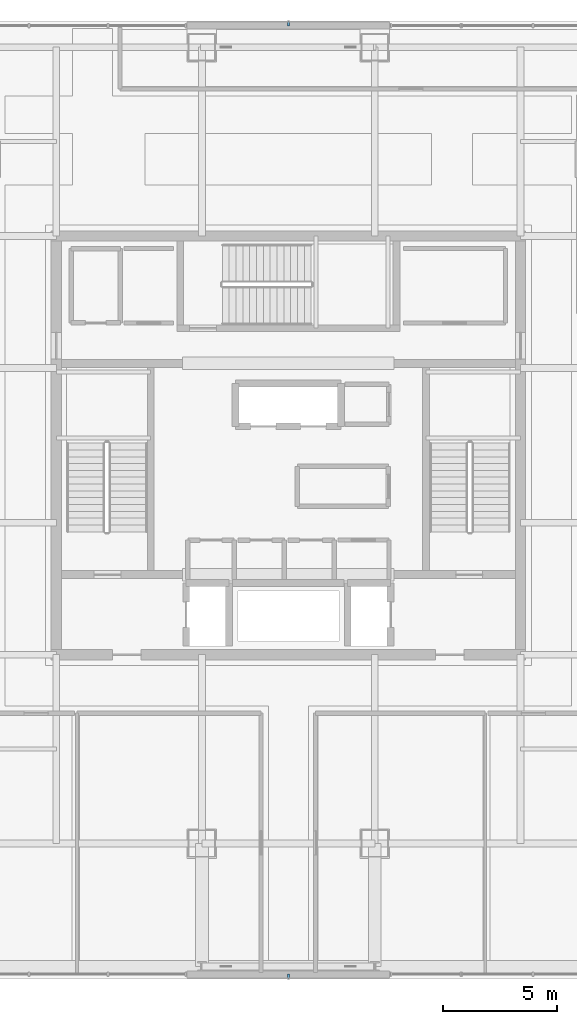
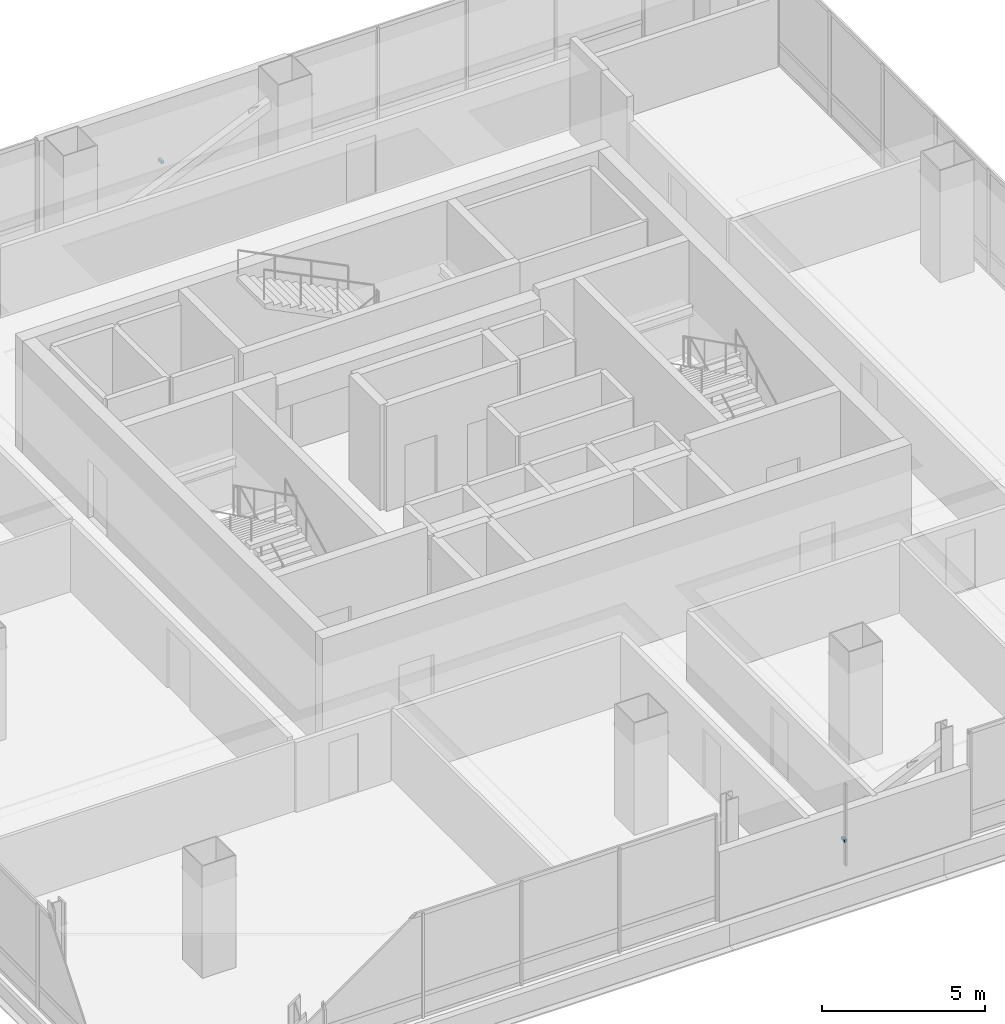
# One storey, part 38 of 46: 2 discrete accessories.
"""IFC4 building model written with IfcOpenShell, lengths in metres."""

import ifcopenshell
import ifcopenshell.guid

model = None  # the IFC model being written
_history = None  # IfcOwnerHistory: only IFC2X3 demands one
_inside = {}  # id of a spatial element -> (the spatial element, [elements in it])
_under = {}  # id of a project, library or spatial element -> (it, [spatial elements below it])
_declared = {}  # id of a project -> (the project, [libraries it declares])
_typed = {}  # id of a type object -> (the type object, [elements of that type])
_made_of = {}  # id of a material, layer set ... -> (it, [elements and type objects made of it])


def new_model(schema):
    """Start an empty IFC model of exactly this schema.

    Asked for "IFC4X3", IfcOpenShell would pick the latest addendum, in which some entities
    have other attributes; the version numbers below select the first issue.
    IFC2X3 requires an IfcOwnerHistory on every rooted entity: one is made here for all.
    """
    global model, _history
    if schema == "IFC4X3":
        model = ifcopenshell.file(schema_version=(4, 3, 0, 0))
    else:
        model = ifcopenshell.file(schema=schema)
    _inside.clear()
    _under.clear()
    _declared.clear()
    _typed.clear()
    _made_of.clear()
    _history = None
    if model.schema == "IFC2X3":
        org = make("IfcOrganization", Name="unknown")
        user = make(
            "IfcPersonAndOrganization",
            ThePerson=make("IfcPerson", FamilyName="unknown"),
            TheOrganization=org,
        )
        app = make(
            "IfcApplication",
            ApplicationDeveloper=org,
            Version="unknown",
            ApplicationFullName="unknown",
            ApplicationIdentifier="unknown",
        )
        _history = make(
            "IfcOwnerHistory",
            OwningUser=user,
            OwningApplication=app,
            ChangeAction="ADDED",
            CreationDate=0,
        )
    return model


def make(cls, **values):
    """One entity of the class cls with the attributes given. An attribute that is None is left unset."""
    return model.create_entity(
        cls, **{name: value for name, value in values.items() if value is not None}
    )


def rooted(cls, **values):
    """An entity with a GlobalId (a new one), such as an element, a storey or a relation."""
    return make(cls, GlobalId=ifcopenshell.guid.new(), OwnerHistory=_history, **values)


def si_unit(unit_type, name, prefix=None):
    """IfcSIUnit, for example si_unit("LENGTHUNIT", "METRE", prefix="MILLI")."""
    return make("IfcSIUnit", UnitType=unit_type, Prefix=prefix, Name=name)


def assignment(units):
    """IfcUnitAssignment: the units of a project."""
    return None if units is None else make("IfcUnitAssignment", Units=units)


def point(xyz):
    """IfcCartesianPoint."""
    return None if xyz is None else make("IfcCartesianPoint", Coordinates=xyz)


def direction(xyz):
    """IfcDirection."""
    return None if xyz is None else make("IfcDirection", DirectionRatios=xyz)


def frame(location, z_axis=None, x_axis=None):
    """IfcAxis2Placement3D, a coordinate frame: its origin and axes. An axis left out is left unset."""
    return make(
        "IfcAxis2Placement3D",
        Location=point(location),
        Axis=direction(z_axis),
        RefDirection=direction(x_axis),
    )


def frame_2d(location, x_axis=None):
    """IfcAxis2Placement2D, a coordinate frame in the plane: its origin and x axis."""
    return make(
        "IfcAxis2Placement2D", Location=point(location), RefDirection=direction(x_axis)
    )


def origin():
    """The frame at (0, 0, 0) with its axes left unset."""
    return frame((0.0, 0.0, 0.0))


def origin_2d():
    """The frame at (0, 0) in the plane with its x axis left unset."""
    return frame_2d((0.0, 0.0))


def place(relative_to, where):
    """IfcLocalPlacement: puts the frame where relative to a parent placement (None: the world)."""
    return make(
        "IfcLocalPlacement", PlacementRelTo=relative_to, RelativePlacement=where
    )


def context(
    kind, dimensions, precision=None, world=None, true_north=None, identifier=None
):
    """IfcGeometricRepresentationContext, for example the 3D "Model" context."""
    return make(
        "IfcGeometricRepresentationContext",
        ContextIdentifier=identifier,
        ContextType=kind,
        CoordinateSpaceDimension=dimensions,
        Precision=precision,
        WorldCoordinateSystem=world,
        TrueNorth=true_north,
    )


def subcontext(parent, identifier, kind, view, scale=None):
    """IfcGeometricRepresentationSubContext, for example "Body" below "Model"."""
    return make(
        "IfcGeometricRepresentationSubContext",
        ContextIdentifier=identifier,
        ContextType=kind,
        ParentContext=parent,
        TargetScale=scale,
        TargetView=view,
    )


def project(units=None, contexts=None):
    """IfcProject with its units and contexts."""
    return rooted(
        "IfcProject",
        Name="project",
        RepresentationContexts=contexts,
        UnitsInContext=assignment(units),
    )


def spatial(cls, under=None, at=None, **own):
    """A site, building, storey or space (cls), placed at a placement, below another one or the project."""
    s = rooted(cls, ObjectPlacement=at, **own)
    if under is not None:
        _under.setdefault(under.id(), (under, []))[1].append(s)
    return s


def profile(cls, at=None, kind="AREA", **sizes):
    """A parametric profile (cls). Its sizes go by their IFC names, for example OverallWidth=200.0."""
    return make(cls, ProfileType=kind, Position=at, **sizes)


def rectangle(**sizes):
    """IfcRectangleProfileDef."""
    return profile("IfcRectangleProfileDef", **sizes)


def extrude(swept, where, along, depth):
    """IfcExtrudedAreaSolid: the profile swept, set in the frame where, extruded along a direction by depth."""
    return make(
        "IfcExtrudedAreaSolid",
        SweptArea=swept,
        Position=where,
        ExtrudedDirection=direction(along),
        Depth=depth,
    )


def shape(context_of_items, identifier, shape_type, items):
    """IfcShapeRepresentation: the items that make up one representation, for example the "Body"."""
    return make(
        "IfcShapeRepresentation",
        ContextOfItems=context_of_items,
        RepresentationIdentifier=identifier,
        RepresentationType=shape_type,
        Items=items,
    )


def material(Name=None, Category=None):
    """IfcMaterial."""
    return make("IfcMaterial", Name=Name, Category=Category)


def made_of(thing, what):
    """Note that an element or type object is made of a material, layer set ...; save() writes the relation."""
    if what is not None:
        _made_of.setdefault(what.id(), (what, []))[1].append(thing)
    return thing


def type_object(cls, material=None, **own):
    """A type object (cls), such as IfcWallType, which elements share."""
    return made_of(rooted(cls, **own), material)


def element(
    cls,
    number,
    at=None,
    inside=None,
    cuts=None,
    type_object=None,
    material=None,
    context=None,
    identifier="Body",
    shape_type=None,
    held_by="IfcProductDefinitionShape",
    body=None,
    shapes=None,
    **own,
):
    """One element of the class cls, such as IfcWall. Its Tag is "e" and its number.

    at: its placement. inside: the storey or other place that contains it. cuts: it is an
    opening in that element (IfcRelVoidsElement). A single representation is given by context,
    identifier, shape_type and body (its items); several are given by shapes. held_by: the class
    of the entity that holds the representations. save() writes the other relations.
    """
    e = rooted(cls, Tag="e%d" % number, ObjectPlacement=at, **own)
    if body is not None:
        shapes = [shape(context, identifier, shape_type, body)]
    if shapes is not None:
        e.Representation = make(held_by, Representations=shapes)
    if inside is not None:
        _inside.setdefault(inside.id(), (inside, []))[1].append(e)
    if cuts is not None:
        rooted(
            "IfcRelVoidsElement", RelatingBuildingElement=cuts, RelatedOpeningElement=e
        )
    if type_object is not None:
        _typed.setdefault(type_object.id(), (type_object, []))[1].append(e)
    return made_of(e, material)


def aggregate(whole, parts):
    """IfcRelAggregates: a whole, such as a stair, and the parts it consists of."""
    return rooted("IfcRelAggregates", RelatingObject=whole, RelatedObjects=parts)


def save(model, path):
    """Write the relations noted so far, then the file.

    IfcRelAggregates (storeys below a building ...), IfcRelContainedInSpatialStructure (elements
    in a storey), IfcRelDefinesByType, IfcRelAssociatesMaterial and IfcRelDeclares: one each for
    every whole, place, type object, material and project.
    """
    for whole, parts in _under.values():
        aggregate(whole, parts)
    for where, things in _inside.values():
        rooted(
            "IfcRelContainedInSpatialStructure",
            RelatedElements=things,
            RelatingStructure=where,
        )
    for kind, things in _typed.values():
        rooted("IfcRelDefinesByType", RelatedObjects=things, RelatingType=kind)
    for what, things in _made_of.values():
        rooted("IfcRelAssociatesMaterial", RelatedObjects=things, RelatingMaterial=what)
    for by, libraries in _declared.values():
        rooted("IfcRelDeclares", RelatingContext=by, RelatedDefinitions=libraries)
    model.write(path)


model = new_model("IFC4")

# Units and contexts
model_context = context("Model", 3, precision=1e-05, world=origin(), true_north=direction((0.0, 1.0)))
body_context = subcontext(model_context, "Body", "Model", "MODEL_VIEW")
ifc_project = project(units=[si_unit("LENGTHUNIT", "METRE"), si_unit("AREAUNIT", "SQUARE_METRE"), si_unit("VOLUMEUNIT", "CUBIC_METRE"), si_unit("PLANEANGLEUNIT", "RADIAN"), si_unit("MASSUNIT", "GRAM", prefix="KILO")], contexts=[model_context])

# Site, building, storey
site_placement = place(None, origin())
site = spatial("IfcSite", under=ifc_project, at=site_placement, CompositionType="ELEMENT")
building_placement = place(site_placement, origin())
building = spatial("IfcBuilding", under=site, at=building_placement, Name="Punatoya Terracotta Tower", CompositionType="ELEMENT")
storey_placement = place(building_placement, frame((0.0, 0.0, 330.0)))
storey = spatial("IfcBuildingStorey", under=building, at=storey_placement, Name="L78", CompositionType="ELEMENT", Elevation=330.0)

# Discrete accessories
ifc_material = material(Name="Steel S355", Category="steel")
discrete_accessory_type = type_object("IfcDiscreteAccessoryType", Name="ACC-BRK-220", PredefinedType="BRACKET", material=ifc_material)
for number, where, z_axis, x_axis, name in (
    (1, (0.0, -23.35009765625, 1.449951171875), (0.0, 0.0, 1.0), (1.0, 0.0, 0.0), "L78 Jali Fin Support Bracket S1"),
    (2, (0.0, 18.550048828125, 1.449951171875), (0.0, 0.0, 1.0), (-1.0, 0.0, 0.0), "L78 Jali Fin Support Bracket N1"),
):
    element("IfcDiscreteAccessory", number, at=place(storey_placement, frame(where, z_axis=z_axis, x_axis=x_axis)), inside=storey, type_object=discrete_accessory_type, Name=name, PredefinedType="BRACKET", context=body_context, shape_type="SweptSolid", body=[
        extrude(rectangle(XDim=0.090087890625, YDim=0.219970703125, at=origin_2d()), origin(), (0.0, 0.0, 1.0), 0.10009765625),
    ])

save(model, "model.ifc")
